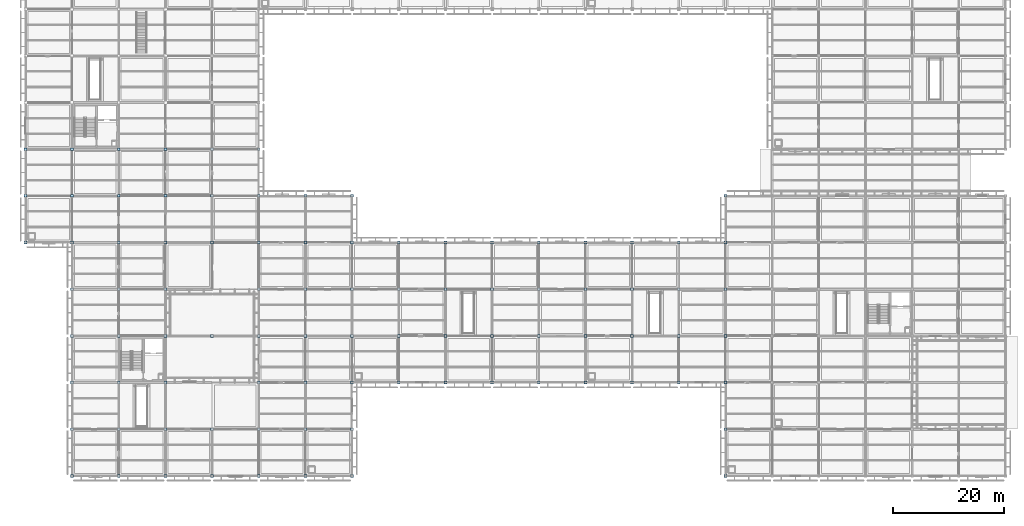
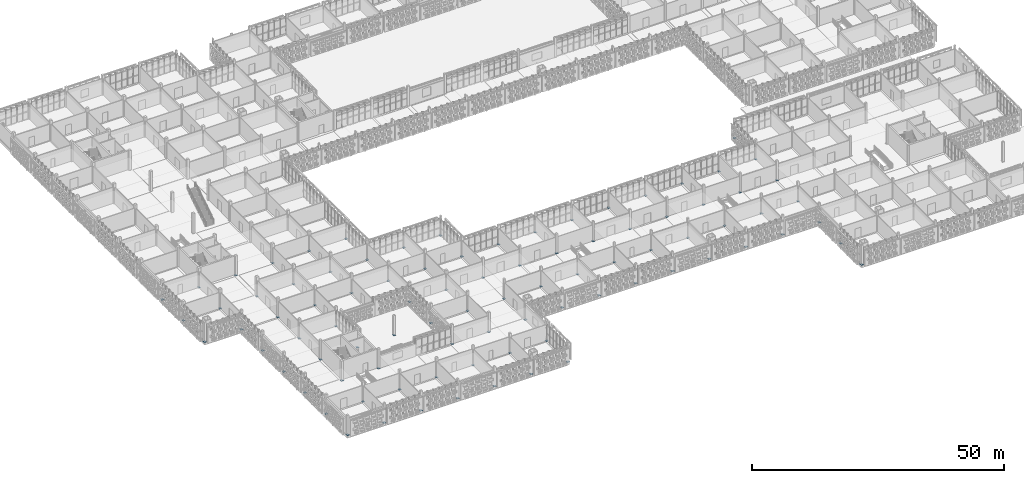
# One storey, part 108 of 203: 90 plates.
"""IFC4 building model written with IfcOpenShell, lengths in metres."""

from ifc_helpers import new_model, si_unit, direction, frame, origin, origin_2d, place, context, subcontext, project, spatial, rectangle, extrude, material, layer, layer_set, type_object, element, save


model = new_model("IFC4")

# Units and contexts
model_context = context("Model", 3, precision=1e-05, world=origin(), true_north=direction((0.0, 1.0)))
body_context = subcontext(model_context, "Body", "Model", "MODEL_VIEW")
ifc_project = project(units=[si_unit("LENGTHUNIT", "METRE"), si_unit("AREAUNIT", "SQUARE_METRE"), si_unit("VOLUMEUNIT", "CUBIC_METRE"), si_unit("PLANEANGLEUNIT", "RADIAN"), si_unit("MASSUNIT", "GRAM", prefix="KILO")], contexts=[model_context])

# Site, building, storey
site_placement = place(None, origin())
site = spatial("IfcSite", under=ifc_project, at=site_placement, CompositionType="ELEMENT")
building_placement = place(site_placement, origin())
building = spatial("IfcBuilding", under=site, at=building_placement, Name="Varnapada Polytechnic", CompositionType="ELEMENT")
storey_placement = place(building_placement, frame((0.0, 0.0, 4.800048828125)))
storey = spatial("IfcBuildingStorey", under=building, at=storey_placement, Name="L01", CompositionType="ELEMENT", Elevation=4.800048828125)

# Plates
ifc_material = material(Name="Steel S355", Category="steel")
ifc_layer = layer(ifc_material, 0.030029296875)
ifc_layer_set = layer_set([ifc_layer], Name="Steel S355")
plate_type = type_object("IfcPlateType", Name="Plate BP-02", PredefinedType="SHEET", material=ifc_layer_set)
for number, where, z_axis, x_axis, name in (
    (1, (0.0, 42.0, 0.0), (0.0, 0.0, 1.0), (1.0, 0.0, 0.0), "Column base shoe plate BP-02 at 1/6"),
    (2, (0.0, 50.39990234375, 0.0), (0.0, 0.0, 1.0), (1.0, 0.0, 0.0), "Column base shoe plate BP-02 at 1/7"),
    (3, (0.0, 58.800048828125, 0.0), (0.0, 0.0, 1.0), (1.0, 0.0, 0.0), "Column base shoe plate BP-02 at 1/8"),
    (4, (8.39990234375, 0.0, 0.0), (0.0, 0.0, 1.0), (1.0, 0.0, 0.0), "Column base shoe plate BP-02 at 2/1"),
    (5, (8.39990234375, 8.39990234375, 0.0), (0.0, 0.0, 1.0), (1.0, 0.0, 0.0), "Column base shoe plate BP-02 at 2/2"),
    (6, (8.39990234375, 16.800048828125, 0.0), (0.0, 0.0, 1.0), (1.0, 0.0, 0.0), "Column base shoe plate BP-02 at 2/3"),
    (7, (8.39990234375, 25.199951171875, 0.0), (0.0, 0.0, 1.0), (1.0, 0.0, 0.0), "Column base shoe plate BP-02 at 2/4"),
    (8, (8.39990234375, 33.60009765625, 0.0), (0.0, 0.0, 1.0), (1.0, 0.0, 0.0), "Column base shoe plate BP-02 at 2/5"),
    (9, (8.39990234375, 42.0, 0.0), (0.0, 0.0, 1.0), (1.0, 0.0, 0.0), "Column base shoe plate BP-02 at 2/6"),
    (10, (8.39990234375, 50.39990234375, 0.0), (0.0, 0.0, 1.0), (1.0, 0.0, 0.0), "Column base shoe plate BP-02 at 2/7"),
    (11, (8.39990234375, 58.800048828125, 0.0), (0.0, 0.0, 1.0), (1.0, 0.0, 0.0), "Column base shoe plate BP-02 at 2/8"),
    (12, (16.800048828125, 0.0, 0.0), (0.0, 0.0, 1.0), (1.0, 0.0, 0.0), "Column base shoe plate BP-02 at 3/1"),
    (13, (16.800048828125, 8.39990234375, 0.0), (0.0, 0.0, 1.0), (1.0, 0.0, 0.0), "Column base shoe plate BP-02 at 3/2"),
    (14, (16.800048828125, 16.800048828125, 0.0), (0.0, 0.0, 1.0), (1.0, 0.0, 0.0), "Column base shoe plate BP-02 at 3/3"),
    (15, (16.800048828125, 25.199951171875, 0.0), (0.0, 0.0, 1.0), (1.0, 0.0, 0.0), "Column base shoe plate BP-02 at 3/4"),
    (16, (16.800048828125, 33.60009765625, 0.0), (0.0, 0.0, 1.0), (1.0, 0.0, 0.0), "Column base shoe plate BP-02 at 3/5"),
    (17, (16.800048828125, 42.0, 0.0), (0.0, 0.0, 1.0), (1.0, 0.0, 0.0), "Column base shoe plate BP-02 at 3/6"),
    (18, (16.800048828125, 50.39990234375, 0.0), (0.0, 0.0, 1.0), (1.0, 0.0, 0.0), "Column base shoe plate BP-02 at 3/7"),
    (19, (16.800048828125, 58.800048828125, 0.0), (0.0, 0.0, 1.0), (1.0, 0.0, 0.0), "Column base shoe plate BP-02 at 3/8"),
    (20, (25.199951171875, 0.0, 0.0), (0.0, 0.0, 1.0), (1.0, 0.0, 0.0), "Column base shoe plate BP-02 at 4/1"),
    (21, (25.199951171875, 8.39990234375, 0.0), (0.0, 0.0, 1.0), (1.0, 0.0, 0.0), "Column base shoe plate BP-02 at 4/2"),
    (22, (25.199951171875, 16.800048828125, 0.0), (0.0, 0.0, 1.0), (1.0, 0.0, 0.0), "Column base shoe plate BP-02 at 4/3"),
    (23, (25.199951171875, 25.199951171875, 0.0), (0.0, 0.0, 1.0), (1.0, 0.0, 0.0), "Column base shoe plate BP-02 at 4/4"),
    (24, (25.199951171875, 33.60009765625, 0.0), (0.0, 0.0, 1.0), (1.0, 0.0, 0.0), "Column base shoe plate BP-02 at 4/5"),
    (25, (25.199951171875, 42.0, 0.0), (0.0, 0.0, 1.0), (1.0, 0.0, 0.0), "Column base shoe plate BP-02 at 4/6"),
    (26, (25.199951171875, 50.39990234375, 0.0), (0.0, 0.0, 1.0), (1.0, 0.0, 0.0), "Column base shoe plate BP-02 at 4/7"),
    (27, (25.199951171875, 58.800048828125, 0.0), (0.0, 0.0, 1.0), (1.0, 0.0, 0.0), "Column base shoe plate BP-02 at 4/8"),
    (28, (33.60009765625, 0.0, 0.0), (0.0, 0.0, 1.0), (1.0, 0.0, 0.0), "Column base shoe plate BP-02 at 5/1"),
    (29, (33.60009765625, 8.39990234375, 0.0), (0.0, 0.0, 1.0), (1.0, 0.0, 0.0), "Column base shoe plate BP-02 at 5/2"),
    (30, (33.60009765625, 25.199951171875, 0.0), (0.0, 0.0, 1.0), (1.0, 0.0, 0.0), "Column base shoe plate BP-02 at 5/4"),
    (31, (33.60009765625, 42.0, 0.0), (0.0, 0.0, 1.0), (1.0, 0.0, 0.0), "Column base shoe plate BP-02 at 5/6"),
    (32, (33.60009765625, 50.39990234375, 0.0), (0.0, 0.0, 1.0), (1.0, 0.0, 0.0), "Column base shoe plate BP-02 at 5/7"),
    (33, (33.60009765625, 58.800048828125, 0.0), (0.0, 0.0, 1.0), (1.0, 0.0, 0.0), "Column base shoe plate BP-02 at 5/8"),
    (34, (42.0, 0.0, 0.0), (0.0, 0.0, 1.0), (1.0, 0.0, 0.0), "Column base shoe plate BP-02 at 6/1"),
    (35, (42.0, 8.39990234375, 0.0), (0.0, 0.0, 1.0), (1.0, 0.0, 0.0), "Column base shoe plate BP-02 at 6/2"),
    (36, (42.0, 16.800048828125, 0.0), (0.0, 0.0, 1.0), (1.0, 0.0, 0.0), "Column base shoe plate BP-02 at 6/3"),
    (37, (42.0, 25.199951171875, 0.0), (0.0, 0.0, 1.0), (1.0, 0.0, 0.0), "Column base shoe plate BP-02 at 6/4"),
    (38, (42.0, 33.60009765625, 0.0), (0.0, 0.0, 1.0), (1.0, 0.0, 0.0), "Column base shoe plate BP-02 at 6/5"),
    (39, (42.0, 42.0, 0.0), (0.0, 0.0, 1.0), (1.0, 0.0, 0.0), "Column base shoe plate BP-02 at 6/6"),
    (40, (42.0, 50.39990234375, 0.0), (0.0, 0.0, 1.0), (1.0, 0.0, 0.0), "Column base shoe plate BP-02 at 6/7"),
    (41, (42.0, 58.800048828125, 0.0), (0.0, 0.0, 1.0), (1.0, 0.0, 0.0), "Column base shoe plate BP-02 at 6/8"),
    (42, (50.39990234375, 0.0, 0.0), (0.0, 0.0, 1.0), (1.0, 0.0, 0.0), "Column base shoe plate BP-02 at 7/1"),
    (43, (50.39990234375, 8.39990234375, 0.0), (0.0, 0.0, 1.0), (1.0, 0.0, 0.0), "Column base shoe plate BP-02 at 7/2"),
    (44, (50.39990234375, 16.800048828125, 0.0), (0.0, 0.0, 1.0), (1.0, 0.0, 0.0), "Column base shoe plate BP-02 at 7/3"),
    (45, (50.39990234375, 25.199951171875, 0.0), (0.0, 0.0, 1.0), (1.0, 0.0, 0.0), "Column base shoe plate BP-02 at 7/4"),
    (46, (50.39990234375, 33.60009765625, 0.0), (0.0, 0.0, 1.0), (1.0, 0.0, 0.0), "Column base shoe plate BP-02 at 7/5"),
    (47, (50.39990234375, 42.0, 0.0), (0.0, 0.0, 1.0), (1.0, 0.0, 0.0), "Column base shoe plate BP-02 at 7/6"),
    (48, (50.39990234375, 50.39990234375, 0.0), (0.0, 0.0, 1.0), (1.0, 0.0, 0.0), "Column base shoe plate BP-02 at 7/7"),
    (49, (58.800048828125, 0.0, 0.0), (0.0, 0.0, 1.0), (1.0, 0.0, 0.0), "Column base shoe plate BP-02 at 8/1"),
    (50, (58.800048828125, 8.39990234375, 0.0), (0.0, 0.0, 1.0), (1.0, 0.0, 0.0), "Column base shoe plate BP-02 at 8/2"),
    (51, (58.800048828125, 16.800048828125, 0.0), (0.0, 0.0, 1.0), (1.0, 0.0, 0.0), "Column base shoe plate BP-02 at 8/3"),
    (52, (58.800048828125, 25.199951171875, 0.0), (0.0, 0.0, 1.0), (1.0, 0.0, 0.0), "Column base shoe plate BP-02 at 8/4"),
    (53, (58.800048828125, 33.60009765625, 0.0), (0.0, 0.0, 1.0), (1.0, 0.0, 0.0), "Column base shoe plate BP-02 at 8/5"),
    (54, (58.800048828125, 42.0, 0.0), (0.0, 0.0, 1.0), (1.0, 0.0, 0.0), "Column base shoe plate BP-02 at 8/6"),
    (55, (58.800048828125, 50.39990234375, 0.0), (0.0, 0.0, 1.0), (1.0, 0.0, 0.0), "Column base shoe plate BP-02 at 8/7"),
    (56, (67.199951171875, 16.800048828125, 0.0), (0.0, 0.0, 1.0), (1.0, 0.0, 0.0), "Column base shoe plate BP-02 at 9/3"),
    (57, (67.199951171875, 25.199951171875, 0.0), (0.0, 0.0, 1.0), (1.0, 0.0, 0.0), "Column base shoe plate BP-02 at 9/4"),
    (58, (67.199951171875, 33.60009765625, 0.0), (0.0, 0.0, 1.0), (1.0, 0.0, 0.0), "Column base shoe plate BP-02 at 9/5"),
    (59, (67.199951171875, 42.0, 0.0), (0.0, 0.0, 1.0), (1.0, 0.0, 0.0), "Column base shoe plate BP-02 at 9/6"),
    (60, (75.60009765625, 16.800048828125, 0.0), (0.0, 0.0, 1.0), (1.0, 0.0, 0.0), "Column base shoe plate BP-02 at 10/3"),
    (61, (75.60009765625, 25.199951171875, 0.0), (0.0, 0.0, 1.0), (1.0, 0.0, 0.0), "Column base shoe plate BP-02 at 10/4"),
    (62, (75.60009765625, 33.60009765625, 0.0), (0.0, 0.0, 1.0), (1.0, 0.0, 0.0), "Column base shoe plate BP-02 at 10/5"),
    (63, (75.60009765625, 42.0, 0.0), (0.0, 0.0, 1.0), (1.0, 0.0, 0.0), "Column base shoe plate BP-02 at 10/6"),
    (64, (84.0, 16.800048828125, 0.0), (0.0, 0.0, 1.0), (1.0, 0.0, 0.0), "Column base shoe plate BP-02 at 11/3"),
    (65, (84.0, 25.199951171875, 0.0), (0.0, 0.0, 1.0), (1.0, 0.0, 0.0), "Column base shoe plate BP-02 at 11/4"),
    (66, (84.0, 33.60009765625, 0.0), (0.0, 0.0, 1.0), (1.0, 0.0, 0.0), "Column base shoe plate BP-02 at 11/5"),
    (67, (84.0, 42.0, 0.0), (0.0, 0.0, 1.0), (1.0, 0.0, 0.0), "Column base shoe plate BP-02 at 11/6"),
    (68, (92.39990234375, 16.800048828125, 0.0), (0.0, 0.0, 1.0), (1.0, 0.0, 0.0), "Column base shoe plate BP-02 at 12/3"),
    (69, (92.39990234375, 25.199951171875, 0.0), (0.0, 0.0, 1.0), (1.0, 0.0, 0.0), "Column base shoe plate BP-02 at 12/4"),
    (70, (92.39990234375, 33.60009765625, 0.0), (0.0, 0.0, 1.0), (1.0, 0.0, 0.0), "Column base shoe plate BP-02 at 12/5"),
    (71, (92.39990234375, 42.0, 0.0), (0.0, 0.0, 1.0), (1.0, 0.0, 0.0), "Column base shoe plate BP-02 at 12/6"),
    (72, (100.800048828125, 16.800048828125, 0.0), (0.0, 0.0, 1.0), (1.0, 0.0, 0.0), "Column base shoe plate BP-02 at 13/3"),
    (73, (100.800048828125, 25.199951171875, 0.0), (0.0, 0.0, 1.0), (1.0, 0.0, 0.0), "Column base shoe plate BP-02 at 13/4"),
    (74, (100.800048828125, 33.60009765625, 0.0), (0.0, 0.0, 1.0), (1.0, 0.0, 0.0), "Column base shoe plate BP-02 at 13/5"),
    (75, (100.800048828125, 42.0, 0.0), (0.0, 0.0, 1.0), (1.0, 0.0, 0.0), "Column base shoe plate BP-02 at 13/6"),
    (76, (109.199951171875, 16.800048828125, 0.0), (0.0, 0.0, 1.0), (1.0, 0.0, 0.0), "Column base shoe plate BP-02 at 14/3"),
    (77, (109.199951171875, 25.199951171875, 0.0), (0.0, 0.0, 1.0), (1.0, 0.0, 0.0), "Column base shoe plate BP-02 at 14/4"),
    (78, (109.199951171875, 33.60009765625, 0.0), (0.0, 0.0, 1.0), (1.0, 0.0, 0.0), "Column base shoe plate BP-02 at 14/5"),
    (79, (109.199951171875, 42.0, 0.0), (0.0, 0.0, 1.0), (1.0, 0.0, 0.0), "Column base shoe plate BP-02 at 14/6"),
    (80, (117.60009765625, 16.800048828125, 0.0), (0.0, 0.0, 1.0), (1.0, 0.0, 0.0), "Column base shoe plate BP-02 at 15/3"),
    (81, (117.60009765625, 25.199951171875, 0.0), (0.0, 0.0, 1.0), (1.0, 0.0, 0.0), "Column base shoe plate BP-02 at 15/4"),
    (82, (117.60009765625, 33.60009765625, 0.0), (0.0, 0.0, 1.0), (1.0, 0.0, 0.0), "Column base shoe plate BP-02 at 15/5"),
    (83, (117.60009765625, 42.0, 0.0), (0.0, 0.0, 1.0), (1.0, 0.0, 0.0), "Column base shoe plate BP-02 at 15/6"),
    (84, (126.0, 0.0, 0.0), (0.0, 0.0, 1.0), (1.0, 0.0, 0.0), "Column base shoe plate BP-02 at 16/1"),
    (85, (126.0, 8.39990234375, 0.0), (0.0, 0.0, 1.0), (1.0, 0.0, 0.0), "Column base shoe plate BP-02 at 16/2"),
    (86, (126.0, 16.800048828125, 0.0), (0.0, 0.0, 1.0), (1.0, 0.0, 0.0), "Column base shoe plate BP-02 at 16/3"),
    (87, (126.0, 25.199951171875, 0.0), (0.0, 0.0, 1.0), (1.0, 0.0, 0.0), "Column base shoe plate BP-02 at 16/4"),
    (88, (126.0, 33.60009765625, 0.0), (0.0, 0.0, 1.0), (1.0, 0.0, 0.0), "Column base shoe plate BP-02 at 16/5"),
    (89, (126.0, 42.0, 0.0), (0.0, 0.0, 1.0), (1.0, 0.0, 0.0), "Column base shoe plate BP-02 at 16/6"),
    (90, (126.0, 50.39990234375, 0.0), (0.0, 0.0, 1.0), (1.0, 0.0, 0.0), "Column base shoe plate BP-02 at 16/7"),
):
    element("IfcPlate", number, at=place(storey_placement, frame(where, z_axis=z_axis, x_axis=x_axis)), inside=storey, type_object=plate_type, Name=name, PredefinedType="SHEET", context=body_context, shape_type="SweptSolid", body=[
        extrude(rectangle(XDim=0.5, YDim=0.5, at=origin_2d()), origin(), (0.0, 0.0, 1.0), 0.030029296875),
    ])

save(model, "model.ifc")
